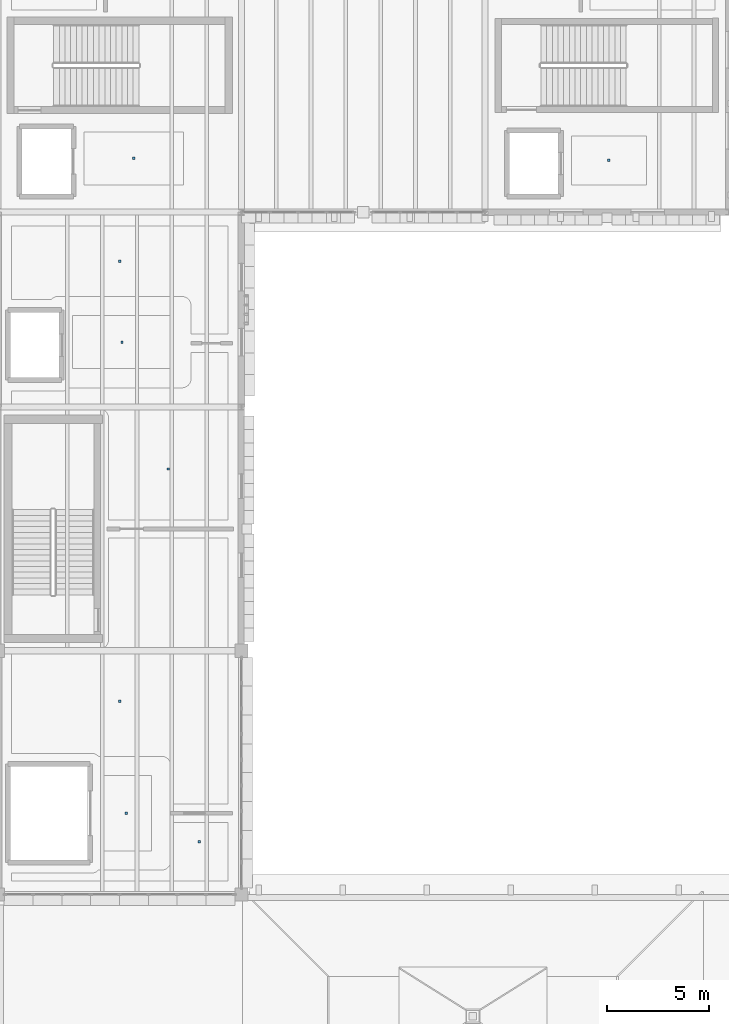
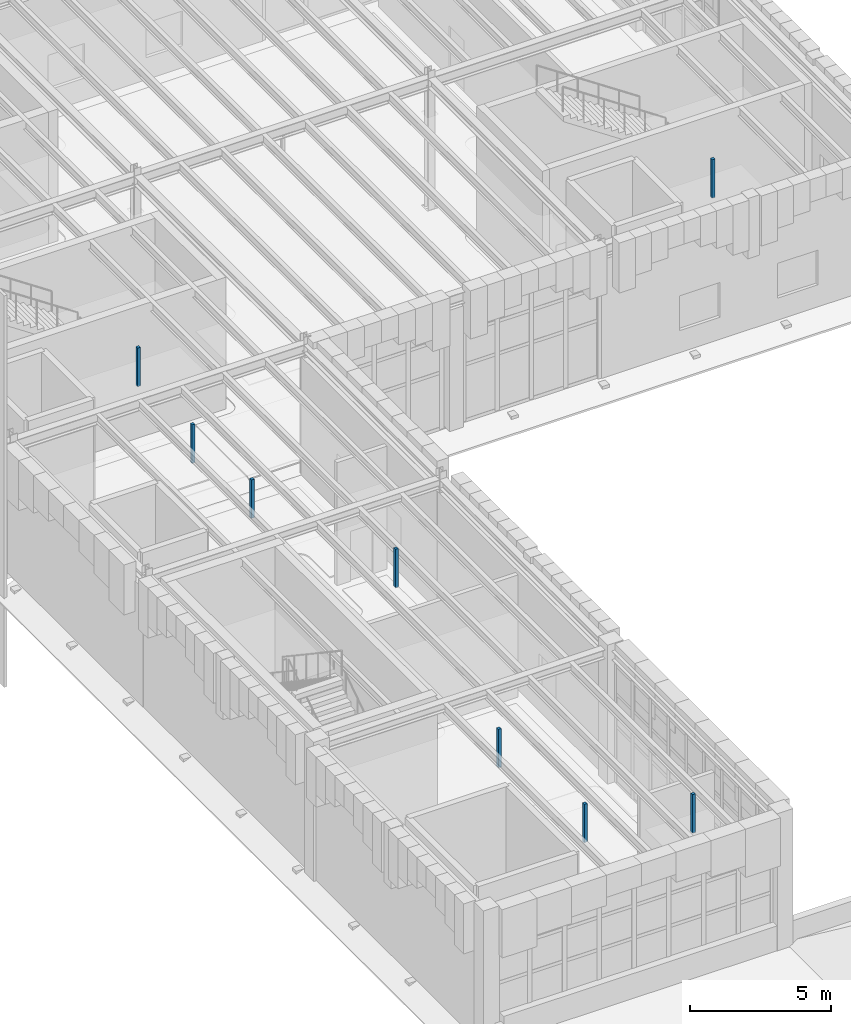
# One storey, part 55 of 83: 8 discrete accessories.
"""IFC4 building model written with IfcOpenShell, lengths in metres."""

from ifc_helpers import new_model, si_unit, direction, frame, origin, origin_2d, place, context, subcontext, project, spatial, rectangle, extrude, material, type_object, element, save


model = new_model("IFC4")

# Units and contexts
model_context = context("Model", 3, precision=1e-05, world=origin(), true_north=direction((0.0, 1.0)))
body_context = subcontext(model_context, "Body", "Model", "MODEL_VIEW")
ifc_project = project(units=[si_unit("LENGTHUNIT", "METRE"), si_unit("AREAUNIT", "SQUARE_METRE"), si_unit("VOLUMEUNIT", "CUBIC_METRE"), si_unit("PLANEANGLEUNIT", "RADIAN"), si_unit("MASSUNIT", "GRAM", prefix="KILO")], contexts=[model_context])

# Site, building, storey
site_placement = place(None, origin())
site = spatial("IfcSite", under=ifc_project, at=site_placement, CompositionType="ELEMENT")
building_placement = place(site_placement, origin())
building = spatial("IfcBuilding", under=site, at=building_placement, Name="Zlatogorsky Bluff Art Gallery", CompositionType="ELEMENT")
storey_placement = place(building_placement, frame((0.0, 0.0, 10.800048828125)))
storey = spatial("IfcBuildingStorey", under=building, at=storey_placement, Name="L02", CompositionType="ELEMENT", Elevation=10.800048828125)

# Discrete accessories
ifc_material = material(Name="Steel S355", Category="steel")
discrete_accessory_type = type_object("IfcDiscreteAccessoryType", Name="Stainless Facade Fin Bracket BRK-01", PredefinedType="BRACKET", material=ifc_material)
for number, where, z_axis, x_axis, name in (
    (1, (126.1201171875, 77.60009765625, 4.05517578125), (0.0, 0.0, 1.0), (1.0, 0.0, 0.0), "Acoustic ceiling suspension hanger L02-FL-1-LB"),
    (2, (126.699951171875, 86.64990234375, 4.05517578125), (0.0, 0.0, 1.0), (1.0, 0.0, 0.0), "Acoustic ceiling suspension hanger L02-FL-2-LB"),
    (3, (150.10009765625, 86.550048828125, 4.05517578125), (0.0, 0.0, 1.0), (1.0, 0.0, 0.0), "Acoustic ceiling suspension hanger L02-PL-2-LB"),
    (4, (126.320068359375, 54.39990234375, 4.05517578125), (0.0, 0.0, 1.0), (1.0, 0.0, 0.0), "Acoustic ceiling suspension hanger L02-GL-1-LB"),
    (5, (129.925048828125, 53.0, 4.05517578125), (0.0, 0.0, 1.0), (1.0, 0.0, 0.0), "Acoustic ceiling suspension hanger L02-AR-11"),
    (6, (126.0, 59.919921875, 4.05517578125), (0.0, 0.0, 1.0), (1.0, 0.0, 0.0), "Acoustic ceiling suspension hanger L02-AR-12"),
    (7, (128.39501953125, 71.3505859375, 4.05517578125), (0.0, 0.0, 1.0), (1.0, 0.0, 0.0), "Acoustic ceiling suspension hanger L02-AR-13"),
    (8, (126.0, 81.590087890625, 4.05517578125), (0.0, 0.0, 1.0), (1.0, 0.0, 0.0), "Acoustic ceiling suspension hanger L02-AR-14"),
):
    element("IfcDiscreteAccessory", number, at=place(storey_placement, frame(where, z_axis=z_axis, x_axis=x_axis)), inside=storey, type_object=discrete_accessory_type, Name=name, PredefinedType="BRACKET", context=body_context, shape_type="SweptSolid", body=[
        extrude(rectangle(XDim=0.1201171875, YDim=0.1201171875, at=origin_2d()), origin(), (0.0, 0.0, 1.0), 1.659912109375),
    ])

save(model, "model.ifc")
